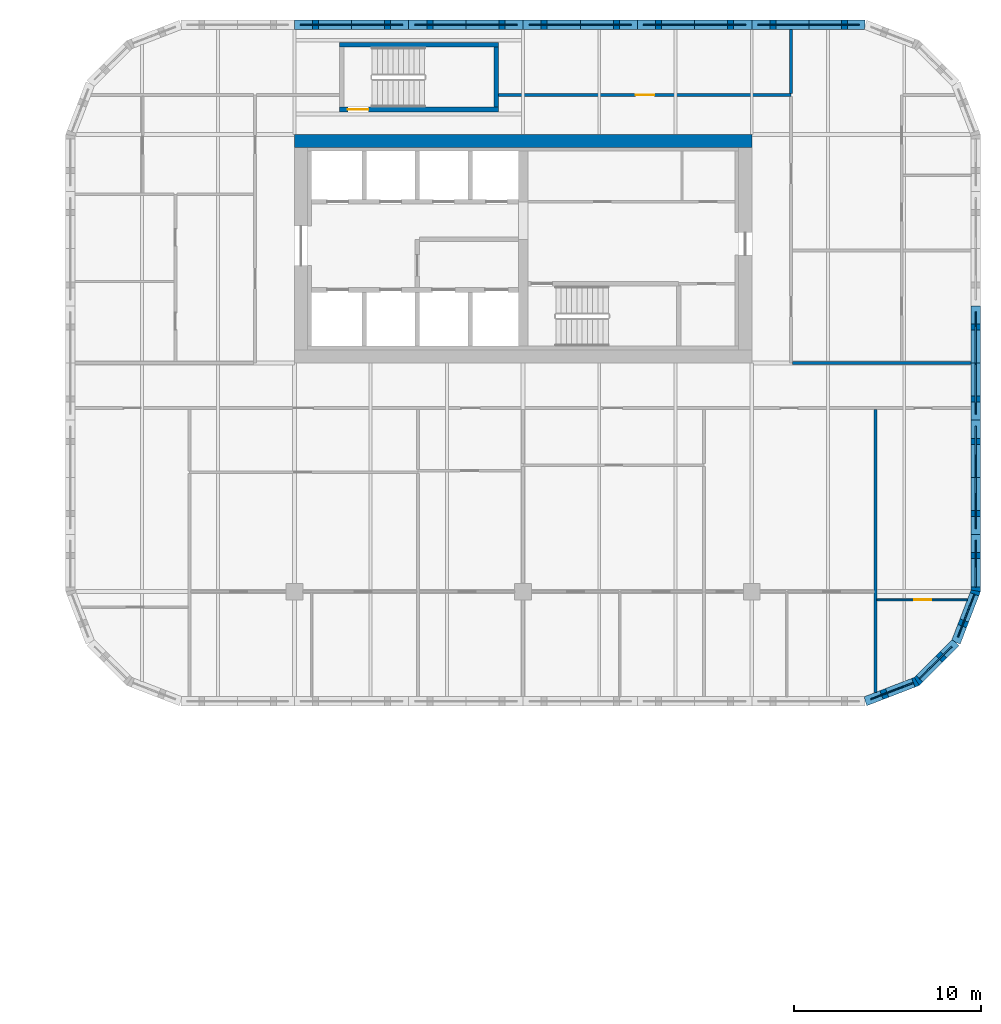
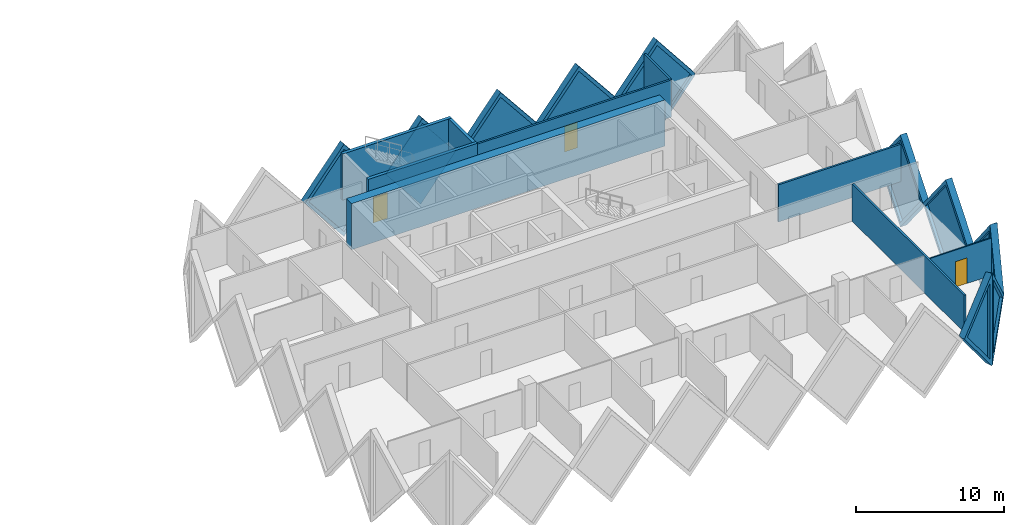
# One storey, part 15 of 19: 20 walls, 11 plates, 3 doors, 14 openings.
"""IFC4 building model written with IfcOpenShell, lengths in metres."""

from ifc_helpers import new_model, si_unit, direction, frame, frame_2d, origin, place, context, subcontext, project, spatial, polyline, rectangle, outline, extrude, faceted_brep, source, transform, mapped, material, layer, layer_set, type_object, element, fill, save


model = new_model("IFC4")

# Units and contexts
model_context = context("Model", 3, precision=1e-05, world=origin(), true_north=direction((0.0, 1.0)))
body_context = subcontext(model_context, "Body", "Model", "MODEL_VIEW")
ifc_project = project(units=[si_unit("LENGTHUNIT", "METRE"), si_unit("AREAUNIT", "SQUARE_METRE"), si_unit("VOLUMEUNIT", "CUBIC_METRE"), si_unit("PLANEANGLEUNIT", "RADIAN"), si_unit("MASSUNIT", "GRAM", prefix="KILO")], contexts=[model_context])

# Site, building, storey
site_placement = place(None, origin())
site = spatial("IfcSite", under=ifc_project, at=site_placement, CompositionType="ELEMENT")
building_placement = place(site_placement, origin())
building = spatial("IfcBuilding", under=site, at=building_placement, Name="Tessera Gate Towers", CompositionType="ELEMENT")
storey_placement = place(building_placement, frame((0.0, 0.0, 29.60009765625)))
storey = spatial("IfcBuildingStorey", under=building, at=storey_placement, Name="L06", CompositionType="ELEMENT", Elevation=29.60009765625)

# Wall, opening, door
ifc_material_1 = material(Name="Concrete C40/50", Category="concrete")
ifc_layer_1 = layer(ifc_material_1, 0.25)
ifc_layer_set_1 = layer_set([ifc_layer_1], Name="CORE ENCLOSURE WALL 250")
wall_type_1 = type_object("IfcWallType", Name="CORE ENCLOSURE WALL 250", PredefinedType="SOLIDWALL", material=ifc_layer_set_1)
wall_1_placement = place(storey_placement, frame((108.5, 50.125, 0.0), z_axis=(0.0, 0.0, 1.0), x_axis=(-1.0, 0.0, 0.0)))
wall_1 = element("IfcWall", 1, at=wall_1_placement, inside=storey, type_object=wall_type_1, Name="L06 ST7 enclosure wall", PredefinedType="SOLIDWALL", context=body_context, shape_type="SweptSolid", body=[
    extrude(rectangle(XDim=8.5, YDim=0.25, at=frame_2d((4.25, 0.0))), origin(), (0.0, 0.0, 1.0), 3.7998046875),
])
shared_shape_1 = source(origin(), body_context, "Body", "SweptSolid", [
    extrude(rectangle(XDim=1.10009765625, YDim=2.10009765625, at=frame_2d((0.550048828125, 1.050048828125))), frame((0.0, 0.135009765625, 0.0), z_axis=(0.0, -1.0, 0.0), x_axis=(1.0, 0.0, 0.0)), (0.0, 0.0, 1.0), 0.27001953125),
])
opening_1_placement = place(wall_1_placement, frame((6.949951171875, 0.0, 0.0)))
opening_1 = element("IfcOpeningElement", 2, at=opening_1_placement, cuts=wall_1, Name="Opening SD-ST7-1", PredefinedType="OPENING", context=body_context, shape_type="MappedRepresentation", body=[
    mapped(shared_shape_1, transform((0.0, 0.0, 0.0), scale=1.0)),
])
ifc_material_2 = material(Name="Hollow steel fire door", Category="steel")
door_type_1 = type_object("IfcDoorType", Name="CORE DOOR SD1100 1100x2100", OperationType="NOTDEFINED", PredefinedType="DOOR", material=ifc_material_2)
shared_shape_2 = source(origin(), body_context, "Body", "SweptSolid", [
    extrude(rectangle(XDim=1.10009765625, YDim=2.10009765625, at=frame_2d((0.550048828125, 1.050048828125))), frame((0.0, 0.02490234375, 0.0), z_axis=(0.0, -1.0, 0.0), x_axis=(1.0, 0.0, 0.0)), (0.0, 0.0, 1.0), 0.050048828125),
])
door_1_placement = place(opening_1_placement, origin())
door_1 = element("IfcDoor", 3, at=door_1_placement, inside=storey, type_object=door_type_1, Name="Stair door", OperationType="SINGLE_SWING_RIGHT", OverallHeight=2.10009765625, OverallWidth=1.10009765625, PredefinedType="DOOR", context=body_context, shape_type="MappedRepresentation", body=[
    mapped(shared_shape_2, transform((0.0, 0.0, 0.0), scale=1.0)),
])
fill(opening_1, door_1)

# Walls
wall_2_placement = place(storey_placement, frame((100.0, 53.574951171875, 0.0), z_axis=(0.0, 0.0, 1.0), x_axis=(1.0, 0.0, 0.0)))
element("IfcWall", 4, at=wall_2_placement, inside=storey, type_object=wall_type_1, Name="L06 ST7 enclosure wall", PredefinedType="SOLIDWALL", context=body_context, shape_type="SweptSolid", body=[
    extrude(rectangle(XDim=8.5, YDim=0.25, at=frame_2d((4.25, 0.0))), origin(), (0.0, 0.0, 1.0), 3.7998046875),
])
wall_3_placement = place(storey_placement, frame((108.375, 53.449951171875, 0.0), z_axis=(0.0, 0.0, 1.0), x_axis=(0.0, -1.0, 0.0)))
element("IfcWall", 5, at=wall_3_placement, inside=storey, type_object=wall_type_1, Name="L06 ST7 enclosure wall", PredefinedType="SOLIDWALL", context=body_context, shape_type="SweptSolid", body=[
    extrude(rectangle(XDim=3.199951171875, YDim=0.25, at=frame_2d((1.60009765625, 0.0))), origin(), (0.0, 0.0, 1.0), 3.7998046875),
])
ifc_material_3 = material(Name="Concrete C60/75", Category="concrete")
ifc_layer_2 = layer(ifc_material_3, 0.699951171875)
ifc_layer_set_2 = layer_set([ifc_layer_2], Name="CORE SHEAR WALL 700 C60/75")
wall_type_2 = type_object("IfcWallType", Name="CORE SHEAR WALL 700 C60/75", PredefinedType="SHEAR", material=ifc_layer_set_2)
wall_4_placement = place(storey_placement, frame((97.60009765625, 48.449951171875, 0.0), z_axis=(0.0, 0.0, 1.0), x_axis=(1.0, 0.0, 0.0)))
element("IfcWall", 6, at=wall_4_placement, inside=storey, type_object=wall_type_2, Name="Core wall N L06", PredefinedType="SHEAR", context=body_context, shape_type="SweptSolid", body=[
    extrude(rectangle(XDim=24.39990234375, YDim=0.699951171875, at=frame_2d((12.199951171875, 0.0))), origin(), (0.0, 0.0, 1.0), 3.7998046875),
])
ifc_material_4 = material(Name="Gypsum board on steel studs, mineral wool", Category="steel")
ifc_layer_3 = layer(ifc_material_4, 0.14990234375)
ifc_layer_set_3 = layer_set([ifc_layer_3], Name="CORRIDOR WALL 150")
wall_type_3 = type_object("IfcWallType", Name="CORRIDOR WALL 150", PredefinedType="PARTITIONING", material=ifc_layer_set_3)
wall_5_placement = place(storey_placement, frame((124.176025390625, 36.60009765625, 0.0), z_axis=(0.0, 0.0, 1.0), x_axis=(1.0, 0.0, 0.0)))
element("IfcWall", 7, at=wall_5_placement, inside=storey, type_object=wall_type_3, Name="T2-L06-PW-031", PredefinedType="PARTITIONING", context=body_context, shape_type="SweptSolid", body=[
    extrude(rectangle(XDim=9.52392578125, YDim=0.14990234375, at=frame_2d((4.761962890625, 0.0))), origin(), (0.0, 0.0, 1.0), 3.06689453125),
])

# Wall, opening, door
wall_6_placement = place(storey_placement, frame((108.5, 50.89990234375, 0.0), z_axis=(0.0, 0.0, 1.0), x_axis=(1.0, 0.0, 0.0)))
wall_6 = element("IfcWall", 8, at=wall_6_placement, inside=storey, type_object=wall_type_3, Name="T2-L06-PW-043", PredefinedType="PARTITIONING", context=body_context, shape_type="SweptSolid", body=[
    extrude(rectangle(XDim=15.60009765625, YDim=0.14990234375, at=frame_2d((7.800048828125, 0.0))), origin(), (0.0, 0.0, 1.0), 3.06689453125),
])
shared_shape_3 = source(origin(), body_context, "Body", "SweptSolid", [
    extrude(rectangle(XDim=1.0, YDim=2.10009765625, at=frame_2d((0.5, 1.050048828125))), frame((0.0, 0.0849609375, 0.0), z_axis=(0.0, -1.0, 0.0), x_axis=(1.0, 0.0, 0.0)), (0.0, 0.0, 1.0), 0.169921875),
])
opening_2_placement = place(wall_6_placement, frame((7.300048828125, 0.0, 0.0)))
opening_2 = element("IfcOpeningElement", 9, at=opening_2_placement, cuts=wall_6, Name="Opening D2100FD60-B03-07", PredefinedType="OPENING", context=body_context, shape_type="MappedRepresentation", body=[
    mapped(shared_shape_3, transform((0.0, 0.0, 0.0), scale=1.0)),
])
ifc_material_5 = material(Name="Timber door leaf in steel frame", Category="steel")
door_type_2 = type_object("IfcDoorType", Name="TENANCY ENTRANCE DOOR 1000 FD60", OperationType="NOTDEFINED", PredefinedType="DOOR", material=ifc_material_5)
shared_shape_4 = source(origin(), body_context, "Body", "SweptSolid", [
    extrude(rectangle(XDim=1.0, YDim=2.10009765625, at=frame_2d((0.5, 1.050048828125))), frame((0.0, 0.02490234375, 0.0), z_axis=(0.0, -1.0, 0.0), x_axis=(1.0, 0.0, 0.0)), (0.0, 0.0, 1.0), 0.050048828125),
])
door_2_placement = place(opening_2_placement, origin())
door_2 = element("IfcDoor", 10, at=door_2_placement, inside=storey, type_object=door_type_2, Name="T2-L06-PD-029", OperationType="SINGLE_SWING_LEFT", OverallHeight=2.10009765625, OverallWidth=1.0, PredefinedType="DOOR", context=body_context, shape_type="MappedRepresentation", body=[
    mapped(shared_shape_4, transform((0.0, 0.0, 0.0), scale=1.0)),
])
fill(opening_2, door_2)

ifc_material_6 = material(Name="Glass", Category="glass")
ifc_layer_4 = layer(ifc_material_6, 0.10009765625)
ifc_layer_set_4 = layer_set([ifc_layer_4], Name="GLAZED PARTITION 100")
wall_type_4 = type_object("IfcWallType", Name="GLAZED PARTITION 100", PredefinedType="PARTITIONING", material=ifc_layer_set_4)
wall_7_placement = place(storey_placement, frame((133.496337890625, 23.965087890625, 0.0), z_axis=(0.0, 0.0, 1.0), x_axis=(-1.0, 0.0, 0.0)))
wall_7 = element("IfcWall", 11, at=wall_7_placement, inside=storey, type_object=wall_type_4, Name="T2-L06-PW-010", PredefinedType="PARTITIONING", context=body_context, shape_type="SweptSolid", body=[
    extrude(rectangle(XDim=4.8203125, YDim=0.10009765625, at=frame_2d((2.41015625, 0.0))), origin(), (0.0, 0.0, 1.0), 3.06689453125),
])
shared_shape_5 = source(origin(), body_context, "Body", "SweptSolid", [
    extrude(rectangle(XDim=0.89990234375, YDim=2.10009765625, at=frame_2d((0.449951171875, 1.050048828125))), frame((0.0, 0.06005859375, 0.0), z_axis=(0.0, -1.0, 0.0), x_axis=(1.0, 0.0, 0.0)), (0.0, 0.0, 1.0), 0.1201171875),
])
opening_3_placement = place(wall_7_placement, frame((1.92041015625, 0.0, 0.0)))
opening_3 = element("IfcOpeningElement", 12, at=opening_3_placement, cuts=wall_7, Name="Opening D690-B03-01", PredefinedType="OPENING", context=body_context, shape_type="MappedRepresentation", body=[
    mapped(shared_shape_5, transform((0.0, 0.0, 0.0), scale=1.0)),
])
ifc_material_7 = material(Name="Glass in aluminium frame", Category="aluminium")
door_type_3 = type_object("IfcDoorType", Name="GLAZED DOOR 900 NOT RATED", OperationType="NOTDEFINED", PredefinedType="DOOR", material=ifc_material_7)
shared_shape_6 = source(origin(), body_context, "Body", "SweptSolid", [
    extrude(rectangle(XDim=0.89990234375, YDim=2.10009765625, at=frame_2d((0.449951171875, 1.050048828125))), frame((0.0, 0.02490234375, 0.0), z_axis=(0.0, -1.0, 0.0), x_axis=(1.0, 0.0, 0.0)), (0.0, 0.0, 1.0), 0.050048828125),
])
door_3_placement = place(opening_3_placement, origin())
door_3 = element("IfcDoor", 13, at=door_3_placement, inside=storey, type_object=door_type_3, Name="T2-L06-PD-008", OperationType="SINGLE_SWING_RIGHT", OverallHeight=2.10009765625, OverallWidth=0.89990234375, PredefinedType="DOOR", context=body_context, shape_type="MappedRepresentation", body=[
    mapped(shared_shape_6, transform((0.0, 0.0, 0.0), scale=1.0)),
])
fill(opening_3, door_3)

# Walls
ifc_material_8 = material(Name="Gypsum board on steel studs, mineral wool", Category="steel")
ifc_layer_5 = layer(ifc_material_8, 0.14990234375)
ifc_layer_set_5 = layer_set([ifc_layer_5], Name="TENANCY WALL 150")
wall_type_5 = type_object("IfcWallType", Name="TENANCY WALL 150", PredefinedType="PARTITIONING", material=ifc_layer_set_5)
wall_8_placement = place(storey_placement, frame((128.60009765625, 19.02880859375, 0.0), z_axis=(0.0, 0.0, 1.0), x_axis=(0.0, 1.0, 0.0)))
element("IfcWall", 14, at=wall_8_placement, inside=storey, type_object=wall_type_5, Name="T2-L06-PW-008", PredefinedType="PARTITIONING", context=body_context, shape_type="SweptSolid", body=[
    extrude(rectangle(XDim=15.09521484375, YDim=0.14990234375, at=frame_2d((7.547607421875, 0.0))), origin(), (0.0, 0.0, 1.0), 3.06689453125),
])
wall_9_placement = place(storey_placement, frame((124.10009765625, 50.97607421875, 0.0), z_axis=(0.0, 0.0, 1.0), x_axis=(0.0, 1.0, 0.0)))
element("IfcWall", 15, at=wall_9_placement, inside=storey, type_object=wall_type_5, Name="T2-L06-PW-045", PredefinedType="PARTITIONING", context=body_context, shape_type="SweptSolid", body=[
    extrude(rectangle(XDim=3.423828125, YDim=0.14990234375, at=frame_2d((1.7119140625, 0.0))), origin(), (0.0, 0.0, 1.0), 3.06689453125),
])

# Wall, opening, plate
ifc_material_9 = material(Name="Precast concrete C60/75 white", Category="concrete")
ifc_layer_6 = layer(ifc_material_9, 0.5)
ifc_layer_set_6 = layer_set([ifc_layer_6], Name="TS1 tessera")
wall_type_6 = type_object("IfcWallType", Name="TS1 tessera", PredefinedType="SOLIDWALL", material=ifc_layer_set_6)
shared_shape_7 = source(origin(), body_context, "Body", "Brep", [
    faceted_brep([(3.00341796875, -0.25, 0.0), (6.053466796875, -0.25, 3.800048828125), (3.00341796875, -0.25, 7.599853515625), (0.0, -0.25, 3.800048828125), (0.046630859375, 0.25, 3.85888671875), (3.00341796875, 0.25, 7.599853515625), (6.053466796875, 0.25, 3.800048828125), (3.00341796875, 0.25, 0.0), (0.046630859375, 0.25, 3.7412109375), (0.0, 0.0, 3.800048828125)], [[[0, 1, 2, 3]], [[4, 5, 6, 7, 8]], [[7, 6, 1, 0]], [[6, 5, 2, 1]], [[5, 4, 9, 3, 2]], [[8, 7, 0, 3, 9]], [[8, 9, 4]]]),
])
wall_10_placement = place(storey_placement, frame((128.053466796875, 54.64990234375, -3.800048828125), z_axis=(0.0, 0.0, 1.0), x_axis=(-1.0, 0.0, 0.0)))
wall_10 = element("IfcWall", 16, at=wall_10_placement, inside=storey, type_object=wall_type_6, Name="Precast tessera T2 TS1-0027", PredefinedType="SOLIDWALL", context=body_context, shape_type="MappedRepresentation", body=[
    mapped(shared_shape_7, transform((0.0, 0.0, 0.0), scale=1.0)),
])
shared_shape_8 = source(origin(), body_context, "Body", "SweptSolid", [
    extrude(outline(polyline([(3.0048828125, 0.401123046875), (5.73291015625, 3.800048828125), (3.0048828125, 7.19873046875), (0.318603515625, 3.800048828125), (3.0048828125, 0.401123046875)])), frame((0.0, 0.260009765625, 0.0), z_axis=(0.0, -1.0, 0.0), x_axis=(1.0, 0.0, 0.0)), (0.0, 0.0, 1.0), 0.52001953125),
])
opening_4_placement = place(wall_10_placement, origin())
opening_4 = element("IfcOpeningElement", 17, at=opening_4_placement, cuts=wall_10, Name="Opening T2-PL2-0051", PredefinedType="OPENING", context=body_context, shape_type="MappedRepresentation", body=[
    mapped(shared_shape_8, transform((0.0, 0.0, 0.0), scale=1.0)),
])
ifc_material_10 = material(Name="Low-e laminated glass", Category="glass")
ifc_layer_7 = layer(ifc_material_10, 0.06005859375)
ifc_layer_set_7 = layer_set([ifc_layer_7], Name="PL2 rhombic pane")
plate_type = type_object("IfcPlateType", Name="PL2 rhombic pane", PredefinedType="SHEET", material=ifc_layer_set_7)
shared_shape_9 = source(origin(), body_context, "Body", "SweptSolid", [
    extrude(outline(polyline([(3.0048828125, 0.401123046875), (5.73291015625, 3.800048828125), (3.0048828125, 7.19873046875), (0.318603515625, 3.800048828125), (3.0048828125, 0.401123046875)])), frame((0.0, 0.030029296875, 0.0), z_axis=(0.0, -1.0, 0.0), x_axis=(1.0, 0.0, 0.0)), (0.0, 0.0, 1.0), 0.06005859375),
])
plate_1_placement = place(opening_4_placement, origin())
plate_1 = element("IfcPlate", 18, at=plate_1_placement, inside=storey, type_object=plate_type, Name="Glass pane T2 PL2-0051", PredefinedType="SHEET", context=body_context, shape_type="MappedRepresentation", body=[
    mapped(shared_shape_9, transform((0.0, 0.0, 0.0), scale=1.0)),
])
fill(opening_4, plate_1)

shared_shape_10 = source(origin(), body_context, "Body", "Brep", [
    faceted_brep([(3.050048828125, -0.25, 0.0), (6.099853515625, -0.25, 3.7998046875), (6.099853515625, -0.25, 3.80029296875), (3.050048828125, -0.25, 7.599853515625), (0.0, -0.25, 3.800048828125), (0.0, 0.25, 3.800048828125), (3.050048828125, 0.25, 7.599853515625), (6.099853515625, 0.25, 3.80029296875), (6.099853515625, 0.25, 3.7998046875), (3.050048828125, 0.25, 0.0)], [[[0, 1, 2, 3, 4]], [[5, 6, 7, 8, 9]], [[9, 8, 1, 0]], [[7, 6, 3, 2]], [[6, 5, 4, 3]], [[5, 9, 0, 4]], [[1, 8, 7, 2]]]),
])
wall_11_placement = place(storey_placement, frame((133.949951171875, 33.550048828125, -3.800048828125), z_axis=(0.0, 0.0, 1.0), x_axis=(0.0, 1.0, 0.0)))
wall_11 = element("IfcWall", 19, at=wall_11_placement, inside=storey, type_object=wall_type_6, Name="Precast tessera T2 TS1-0025", PredefinedType="SOLIDWALL", context=body_context, shape_type="MappedRepresentation", body=[
    mapped(shared_shape_10, transform((0.0, 0.0, 0.0), scale=1.0)),
])
shared_shape_11 = source(origin(), body_context, "Body", "SweptSolid", [
    extrude(outline(polyline([(3.050048828125, 0.3994140625), (5.779541015625, 3.800048828125), (3.050048828125, 7.200439453125), (0.320556640625, 3.800048828125), (3.050048828125, 0.3994140625)])), frame((0.0, 0.260009765625, 0.0), z_axis=(0.0, -1.0, 0.0), x_axis=(1.0, 0.0, 0.0)), (0.0, 0.0, 1.0), 0.52001953125),
])
opening_5_placement = place(wall_11_placement, origin())
opening_5 = element("IfcOpeningElement", 20, at=opening_5_placement, cuts=wall_11, Name="Opening T2-PL2-0045", PredefinedType="OPENING", context=body_context, shape_type="MappedRepresentation", body=[
    mapped(shared_shape_11, transform((0.0, 0.0, 0.0), scale=1.0)),
])
shared_shape_12 = source(origin(), body_context, "Body", "SweptSolid", [
    extrude(outline(polyline([(3.050048828125, 0.3994140625), (5.779541015625, 3.800048828125), (3.050048828125, 7.200439453125), (0.320556640625, 3.800048828125), (3.050048828125, 0.3994140625)])), frame((0.0, 0.030029296875, 0.0), z_axis=(0.0, -1.0, 0.0), x_axis=(1.0, 0.0, 0.0)), (0.0, 0.0, 1.0), 0.06005859375),
])
plate_2_placement = place(opening_5_placement, origin())
plate_2 = element("IfcPlate", 21, at=plate_2_placement, inside=storey, type_object=plate_type, Name="Glass pane T2 PL2-0045", PredefinedType="SHEET", context=body_context, shape_type="MappedRepresentation", body=[
    mapped(shared_shape_12, transform((0.0, 0.0, 0.0), scale=1.0)),
])
fill(opening_5, plate_2)

wall_12_placement = place(storey_placement, frame((115.89990234375, 54.64990234375, -3.800048828125), z_axis=(0.0, 0.0, 1.0), x_axis=(-1.0, 0.0, 0.0)))
wall_12 = element("IfcWall", 22, at=wall_12_placement, inside=storey, type_object=wall_type_6, Name="Precast tessera T2 TS1-0029", PredefinedType="SOLIDWALL", context=body_context, shape_type="MappedRepresentation", body=[
    mapped(shared_shape_10, transform((0.0, 0.0, 0.0), scale=1.0)),
])
opening_6_placement = place(wall_12_placement, origin())
opening_6 = element("IfcOpeningElement", 23, at=opening_6_placement, cuts=wall_12, Name="Opening T2-PL2-0053", PredefinedType="OPENING", context=body_context, shape_type="MappedRepresentation", body=[
    mapped(shared_shape_11, transform((0.0, 0.0, 0.0), scale=1.0)),
])
plate_3_placement = place(opening_6_placement, origin())
plate_3 = element("IfcPlate", 24, at=plate_3_placement, inside=storey, type_object=plate_type, Name="Glass pane T2 PL2-0053", PredefinedType="SHEET", context=body_context, shape_type="MappedRepresentation", body=[
    mapped(shared_shape_12, transform((0.0, 0.0, 0.0), scale=1.0)),
])
fill(opening_6, plate_3)

wall_13_placement = place(storey_placement, frame((103.699951171875, 54.64990234375, -3.800048828125), z_axis=(0.0, 0.0, 1.0), x_axis=(-1.0, 0.0, 0.0)))
wall_13 = element("IfcWall", 25, at=wall_13_placement, inside=storey, type_object=wall_type_6, Name="Precast tessera T2 TS1-0031", PredefinedType="SOLIDWALL", context=body_context, shape_type="MappedRepresentation", body=[
    mapped(shared_shape_10, transform((0.0, 0.0, 0.0), scale=1.0)),
])
opening_7_placement = place(wall_13_placement, origin())
opening_7 = element("IfcOpeningElement", 26, at=opening_7_placement, cuts=wall_13, Name="Opening T2-PL2-0055", PredefinedType="OPENING", context=body_context, shape_type="MappedRepresentation", body=[
    mapped(shared_shape_11, transform((0.0, 0.0, 0.0), scale=1.0)),
])
plate_4_placement = place(opening_7_placement, origin())
plate_4 = element("IfcPlate", 27, at=plate_4_placement, inside=storey, type_object=plate_type, Name="Glass pane T2 PL2-0055", PredefinedType="SHEET", context=body_context, shape_type="MappedRepresentation", body=[
    mapped(shared_shape_12, transform((0.0, 0.0, 0.0), scale=1.0)),
])
fill(opening_7, plate_4)

shared_shape_13 = source(origin(), body_context, "Body", "SweptSolid", [
    extrude(outline(polyline([(3.050048828125, 0.0), (6.10009765625, 3.800048828125), (3.050048828125, 7.599853515625), (0.0, 3.800048828125), (3.050048828125, 0.0)])), frame((0.0, 0.25, 0.0), z_axis=(0.0, -1.0, 0.0), x_axis=(1.0, 0.0, 0.0)), (0.0, 0.0, 1.0), 0.5),
])
wall_14_placement = place(storey_placement, frame((133.949951171875, 27.449951171875, -3.800048828125), z_axis=(0.0, 0.0, 1.0), x_axis=(0.0, 1.0, 0.0)))
wall_14 = element("IfcWall", 28, at=wall_14_placement, inside=storey, type_object=wall_type_6, Name="Precast tessera T2 TS1-0024", PredefinedType="SOLIDWALL", context=body_context, shape_type="MappedRepresentation", body=[
    mapped(shared_shape_13, transform((0.0, 0.0, 0.0), scale=1.0)),
])
opening_8_placement = place(wall_14_placement, origin())
opening_8 = element("IfcOpeningElement", 29, at=opening_8_placement, cuts=wall_14, Name="Opening T2-PL2-0044", PredefinedType="OPENING", context=body_context, shape_type="MappedRepresentation", body=[
    mapped(shared_shape_11, transform((0.0, 0.0, 0.0), scale=1.0)),
])
plate_5_placement = place(opening_8_placement, origin())
plate_5 = element("IfcPlate", 30, at=plate_5_placement, inside=storey, type_object=plate_type, Name="Glass pane T2 PL2-0044", PredefinedType="SHEET", context=body_context, shape_type="MappedRepresentation", body=[
    mapped(shared_shape_12, transform((0.0, 0.0, 0.0), scale=1.0)),
])
fill(opening_8, plate_5)

wall_15_placement = place(storey_placement, frame((122.0, 54.64990234375, -3.800048828125), z_axis=(0.0, 0.0, 1.0), x_axis=(-1.0, 0.0, 0.0)))
wall_15 = element("IfcWall", 31, at=wall_15_placement, inside=storey, type_object=wall_type_6, Name="Precast tessera T2 TS1-0028", PredefinedType="SOLIDWALL", context=body_context, shape_type="MappedRepresentation", body=[
    mapped(shared_shape_13, transform((0.0, 0.0, 0.0), scale=1.0)),
])
opening_9_placement = place(wall_15_placement, origin())
opening_9 = element("IfcOpeningElement", 32, at=opening_9_placement, cuts=wall_15, Name="Opening T2-PL2-0052", PredefinedType="OPENING", context=body_context, shape_type="MappedRepresentation", body=[
    mapped(shared_shape_11, transform((0.0, 0.0, 0.0), scale=1.0)),
])
plate_6_placement = place(opening_9_placement, origin())
plate_6 = element("IfcPlate", 33, at=plate_6_placement, inside=storey, type_object=plate_type, Name="Glass pane T2 PL2-0052", PredefinedType="SHEET", context=body_context, shape_type="MappedRepresentation", body=[
    mapped(shared_shape_12, transform((0.0, 0.0, 0.0), scale=1.0)),
])
fill(opening_9, plate_6)

wall_16_placement = place(storey_placement, frame((109.800048828125, 54.64990234375, -3.800048828125), z_axis=(0.0, 0.0, 1.0), x_axis=(-1.0, 0.0, 0.0)))
wall_16 = element("IfcWall", 34, at=wall_16_placement, inside=storey, type_object=wall_type_6, Name="Precast tessera T2 TS1-0030", PredefinedType="SOLIDWALL", context=body_context, shape_type="MappedRepresentation", body=[
    mapped(shared_shape_13, transform((0.0, 0.0, 0.0), scale=1.0)),
])
opening_10_placement = place(wall_16_placement, origin())
opening_10 = element("IfcOpeningElement", 35, at=opening_10_placement, cuts=wall_16, Name="Opening T2-PL2-0054", PredefinedType="OPENING", context=body_context, shape_type="MappedRepresentation", body=[
    mapped(shared_shape_11, transform((0.0, 0.0, 0.0), scale=1.0)),
])
plate_7_placement = place(opening_10_placement, origin())
plate_7 = element("IfcPlate", 36, at=plate_7_placement, inside=storey, type_object=plate_type, Name="Glass pane T2 PL2-0054", PredefinedType="SHEET", context=body_context, shape_type="MappedRepresentation", body=[
    mapped(shared_shape_12, transform((0.0, 0.0, 0.0), scale=1.0)),
])
fill(opening_10, plate_7)

ifc_material_11 = material(Name="Precast concrete C60/75 white", Category="concrete")
ifc_layer_8 = layer(ifc_material_11, 0.5)
ifc_layer_set_8 = layer_set([ifc_layer_8], Name="TS3 corner tessera")
wall_type_7 = type_object("IfcWallType", Name="TS3 corner tessera", PredefinedType="SOLIDWALL", material=ifc_layer_set_8)
shared_shape_14 = source(origin(), body_context, "Body", "Brep", [
    faceted_brep([(2.950439453125, -0.25, 0.0), (3.00341796875, -0.25, 0.068359375), (3.00341796875, -0.25, 7.531494140625), (2.950439453125, -0.25, 7.599853515625), (0.0, -0.25, 3.800048828125), (0.046630859375, 0.25, 3.860107421875), (2.897705078125, 0.25, 7.53173828125), (2.897705078125, 0.25, 0.068115234375), (0.046630859375, 0.25, 3.739990234375), (2.950439453125, 0.00048828125, 0.0), (2.950439453125, 0.00048828125, 7.599853515625), (0.0, 0.0, 3.800048828125)], [[[0, 1, 2, 3, 4]], [[5, 6, 7, 8]], [[1, 0, 9]], [[10, 3, 2]], [[6, 5, 11, 4, 3, 10]], [[8, 7, 9, 0, 4, 11]], [[8, 11, 5]], [[1, 9, 7, 6, 10, 2]]]),
])
wall_17_placement = place(storey_placement, frame((128.053466796875, 18.550048828125, -3.800048828125), z_axis=(0.0, 0.0, 1.0), x_axis=(0.933007896601, 0.359855894603, 0.0)))
wall_17 = element("IfcWall", 37, at=wall_17_placement, inside=storey, type_object=wall_type_7, Name="Precast corner tessera T2 TS3-0065", PredefinedType="SOLIDWALL", context=body_context, shape_type="MappedRepresentation", body=[
    mapped(shared_shape_14, transform((0.0, 0.0, 0.0), scale=1.0)),
])
shared_shape_15 = source(origin(), body_context, "Body", "SweptSolid", [
    extrude(outline(polyline([(2.75048828125, 6.934814453125), (0.31640625, 3.800048828125), (2.75048828125, 0.665283203125), (2.75048828125, 6.934814453125)])), frame((0.0, 0.260009765625, 0.0), z_axis=(0.0, -1.0, 0.0), x_axis=(1.0, 0.0, 0.0)), (0.0, 0.0, 1.0), 0.52001953125),
])
opening_11_placement = place(wall_17_placement, origin())
opening_11 = element("IfcOpeningElement", 38, at=opening_11_placement, cuts=wall_17, Name="Opening T2-PL2-0040", PredefinedType="OPENING", context=body_context, shape_type="MappedRepresentation", body=[
    mapped(shared_shape_15, transform((0.0, 0.0, 0.0), scale=1.0)),
])
shared_shape_16 = source(origin(), body_context, "Body", "SweptSolid", [
    extrude(outline(polyline([(2.75048828125, 6.934814453125), (0.31640625, 3.800048828125), (2.75048828125, 0.665283203125), (2.75048828125, 6.934814453125)])), frame((0.0, 0.030029296875, 0.0), z_axis=(0.0, -1.0, 0.0), x_axis=(1.0, 0.0, 0.0)), (0.0, 0.0, 1.0), 0.06005859375),
])
plate_8_placement = place(opening_11_placement, origin())
plate_8 = element("IfcPlate", 39, at=plate_8_placement, inside=storey, type_object=plate_type, Name="Glass pane T2 PL2-0040", PredefinedType="SHEET", context=body_context, shape_type="MappedRepresentation", body=[
    mapped(shared_shape_16, transform((0.0, 0.0, 0.0), scale=1.0)),
])
fill(opening_11, plate_8)

shared_shape_17 = source(origin(), body_context, "Body", "Brep", [
    faceted_brep([(2.950439453125, -0.25, 0.0), (2.9970703125, -0.25, 0.05908203125), (2.9970703125, -0.25, 7.540771484375), (2.950439453125, -0.25, 7.599853515625), (0.0, -0.25, 3.800048828125), (0.052978515625, 0.25, 3.8681640625), (2.904052734375, 0.25, 7.5400390625), (2.904052734375, 0.25, 0.059814453125), (0.052978515625, 0.25, 3.73193359375), (2.950439453125, 0.00048828125, 0.0), (2.950439453125, 0.00048828125, 7.599853515625), (0.0, 0.0, 3.800048828125)], [[[0, 1, 2, 3, 4]], [[5, 6, 7, 8]], [[1, 0, 9]], [[10, 3, 2]], [[6, 5, 11, 4, 3, 10]], [[8, 7, 9, 0, 4, 11]], [[8, 11, 5]], [[1, 9, 7, 6, 10, 2]]]),
])
wall_18_placement = place(storey_placement, frame((132.88818359375, 21.69384765625, -3.800048828125), z_axis=(0.0, 0.0, 1.0), x_axis=(0.359901446078, 0.932990326376, 0.0)))
wall_18 = element("IfcWall", 40, at=wall_18_placement, inside=storey, type_object=wall_type_7, Name="Precast corner tessera T2 TS3-0067", PredefinedType="SOLIDWALL", context=body_context, shape_type="MappedRepresentation", body=[
    mapped(shared_shape_17, transform((0.0, 0.0, 0.0), scale=1.0)),
])
opening_12_placement = place(wall_18_placement, origin())
opening_12 = element("IfcOpeningElement", 41, at=opening_12_placement, cuts=wall_18, Name="Opening T2-PL2-0042", PredefinedType="OPENING", context=body_context, shape_type="MappedRepresentation", body=[
    mapped(shared_shape_15, transform((0.0, 0.0, 0.0), scale=1.0)),
])
plate_9_placement = place(opening_12_placement, origin())
plate_9 = element("IfcPlate", 42, at=plate_9_placement, inside=storey, type_object=plate_type, Name="Glass pane T2 PL2-0042", PredefinedType="SHEET", context=body_context, shape_type="MappedRepresentation", body=[
    mapped(shared_shape_16, transform((0.0, 0.0, 0.0), scale=1.0)),
])
fill(opening_12, plate_9)

shared_shape_18 = source(origin(), body_context, "Body", "Brep", [
    faceted_brep([(0.046630859375, -0.25, 0.0), (3.050048828125, -0.25, 3.800048828125), (0.046630859375, -0.25, 7.599853515625), (0.0, -0.25, 7.539794921875), (0.0, -0.25, 0.06005859375), (0.09326171875, 0.25, 7.541015625), (3.050048828125, 0.25, 3.800048828125), (0.09326171875, 0.25, 0.058837890625), (0.046630859375, 0.0, 0.0), (0.046630859375, 0.0, 7.599853515625)], [[[0, 1, 2, 3, 4]], [[5, 6, 7]], [[7, 6, 1, 0, 8]], [[6, 5, 9, 2, 1]], [[3, 2, 9]], [[8, 0, 4]], [[7, 8, 4, 3, 9, 5]]]),
])
wall_19_placement = place(storey_placement, frame((133.949951171875, 24.39990234375, -3.800048828125), z_axis=(0.0, 0.0, 1.0), x_axis=(0.0, 1.0, 0.0)))
wall_19 = element("IfcWall", 43, at=wall_19_placement, inside=storey, type_object=wall_type_7, Name="Precast corner tessera T2 TS3-0068", PredefinedType="SOLIDWALL", context=body_context, shape_type="MappedRepresentation", body=[
    mapped(shared_shape_18, transform((0.0, 0.0, 0.0), scale=1.0)),
])
shared_shape_19 = source(origin(), body_context, "Body", "SweptSolid", [
    extrude(outline(polyline([(0.24658203125, 0.65625), (2.7314453125, 3.800048828125), (0.24658203125, 6.94384765625), (0.24658203125, 0.65625)])), frame((0.0, 0.260009765625, 0.0), z_axis=(0.0, -1.0, 0.0), x_axis=(1.0, 0.0, 0.0)), (0.0, 0.0, 1.0), 0.52001953125),
])
opening_13_placement = place(wall_19_placement, origin())
opening_13 = element("IfcOpeningElement", 44, at=opening_13_placement, cuts=wall_19, Name="Opening T2-PL2-0043", PredefinedType="OPENING", context=body_context, shape_type="MappedRepresentation", body=[
    mapped(shared_shape_19, transform((0.0, 0.0, 0.0), scale=1.0)),
])
shared_shape_20 = source(origin(), body_context, "Body", "SweptSolid", [
    extrude(outline(polyline([(0.24658203125, 0.65625), (2.7314453125, 3.800048828125), (0.24658203125, 6.94384765625), (0.24658203125, 0.65625)])), frame((0.0, 0.030029296875, 0.0), z_axis=(0.0, -1.0, 0.0), x_axis=(1.0, 0.0, 0.0)), (0.0, 0.0, 1.0), 0.06005859375),
])
plate_10_placement = place(opening_13_placement, origin())
plate_10 = element("IfcPlate", 45, at=plate_10_placement, inside=storey, type_object=plate_type, Name="Glass pane T2 PL2-0043", PredefinedType="SHEET", context=body_context, shape_type="MappedRepresentation", body=[
    mapped(shared_shape_20, transform((0.0, 0.0, 0.0), scale=1.0)),
])
fill(opening_13, plate_10)

shared_shape_21 = source(origin(), body_context, "Body", "Brep", [
    faceted_brep([(0.052978515625, -0.25, 0.0), (2.9970703125, -0.25, 3.800048828125), (0.052978515625, -0.25, 7.599853515625), (0.0, -0.25, 7.53173828125), (0.0, -0.25, 0.068115234375), (0.10595703125, 0.25, 7.531494140625), (2.944091796875, 0.25, 3.8681640625), (2.944091796875, 0.25, 3.73193359375), (0.10595703125, 0.25, 0.068359375), (2.9970703125, 0.000244140625, 3.800048828125), (0.052978515625, 0.0, 0.0), (0.052978515625, 0.0, 7.599853515625)], [[[0, 1, 2, 3, 4]], [[5, 6, 7, 8]], [[8, 7, 9, 1, 0, 10]], [[6, 5, 11, 2, 1, 9]], [[3, 2, 11]], [[10, 0, 4]], [[8, 10, 4, 3, 11, 5]], [[7, 6, 9]]]),
])
wall_20_placement = place(storey_placement, frame((130.768798828125, 19.574462890625, -3.800048828125), z_axis=(0.0, 0.0, 1.0), x_axis=(0.707106781187, 0.707106781187, 0.0)))
wall_20 = element("IfcWall", 46, at=wall_20_placement, inside=storey, type_object=wall_type_7, Name="Precast corner tessera T2 TS3-0066", PredefinedType="SOLIDWALL", context=body_context, shape_type="MappedRepresentation", body=[
    mapped(shared_shape_21, transform((0.0, 0.0, 0.0), scale=1.0)),
])
shared_shape_22 = source(origin(), body_context, "Body", "SweptSolid", [
    extrude(outline(polyline([(0.2529296875, 0.666259765625), (2.680908203125, 3.800048828125), (0.2529296875, 6.93359375), (0.2529296875, 0.666259765625)])), frame((0.0, 0.260009765625, 0.0), z_axis=(0.0, -1.0, 0.0), x_axis=(1.0, 0.0, 0.0)), (0.0, 0.0, 1.0), 0.52001953125),
])
opening_14_placement = place(wall_20_placement, origin())
opening_14 = element("IfcOpeningElement", 47, at=opening_14_placement, cuts=wall_20, Name="Opening T2-PL2-0041", PredefinedType="OPENING", context=body_context, shape_type="MappedRepresentation", body=[
    mapped(shared_shape_22, transform((0.0, 0.0, 0.0), scale=1.0)),
])
shared_shape_23 = source(origin(), body_context, "Body", "SweptSolid", [
    extrude(outline(polyline([(0.2529296875, 0.666259765625), (2.680908203125, 3.800048828125), (0.2529296875, 6.93359375), (0.2529296875, 0.666259765625)])), frame((0.0, 0.030029296875, 0.0), z_axis=(0.0, -1.0, 0.0), x_axis=(1.0, 0.0, 0.0)), (0.0, 0.0, 1.0), 0.06005859375),
])
plate_11_placement = place(opening_14_placement, origin())
plate_11 = element("IfcPlate", 48, at=plate_11_placement, inside=storey, type_object=plate_type, Name="Glass pane T2 PL2-0041", PredefinedType="SHEET", context=body_context, shape_type="MappedRepresentation", body=[
    mapped(shared_shape_23, transform((0.0, 0.0, 0.0), scale=1.0)),
])
fill(opening_14, plate_11)

save(model, "model.ifc")
